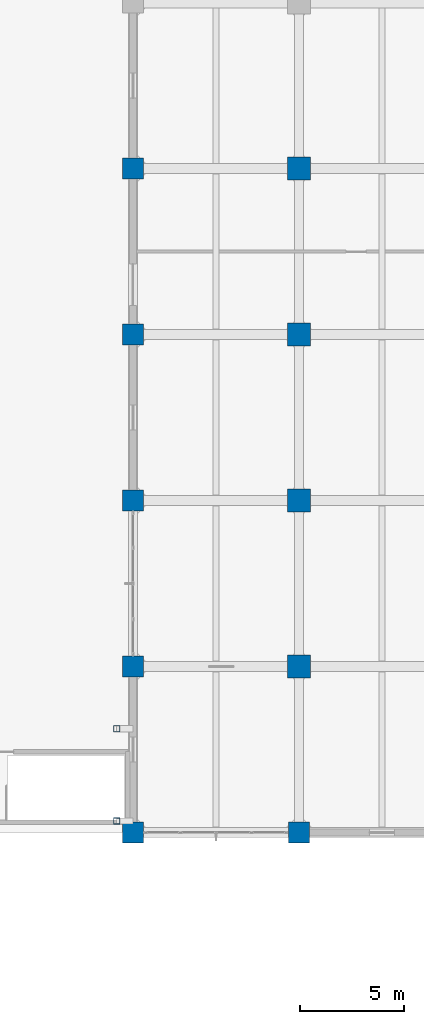
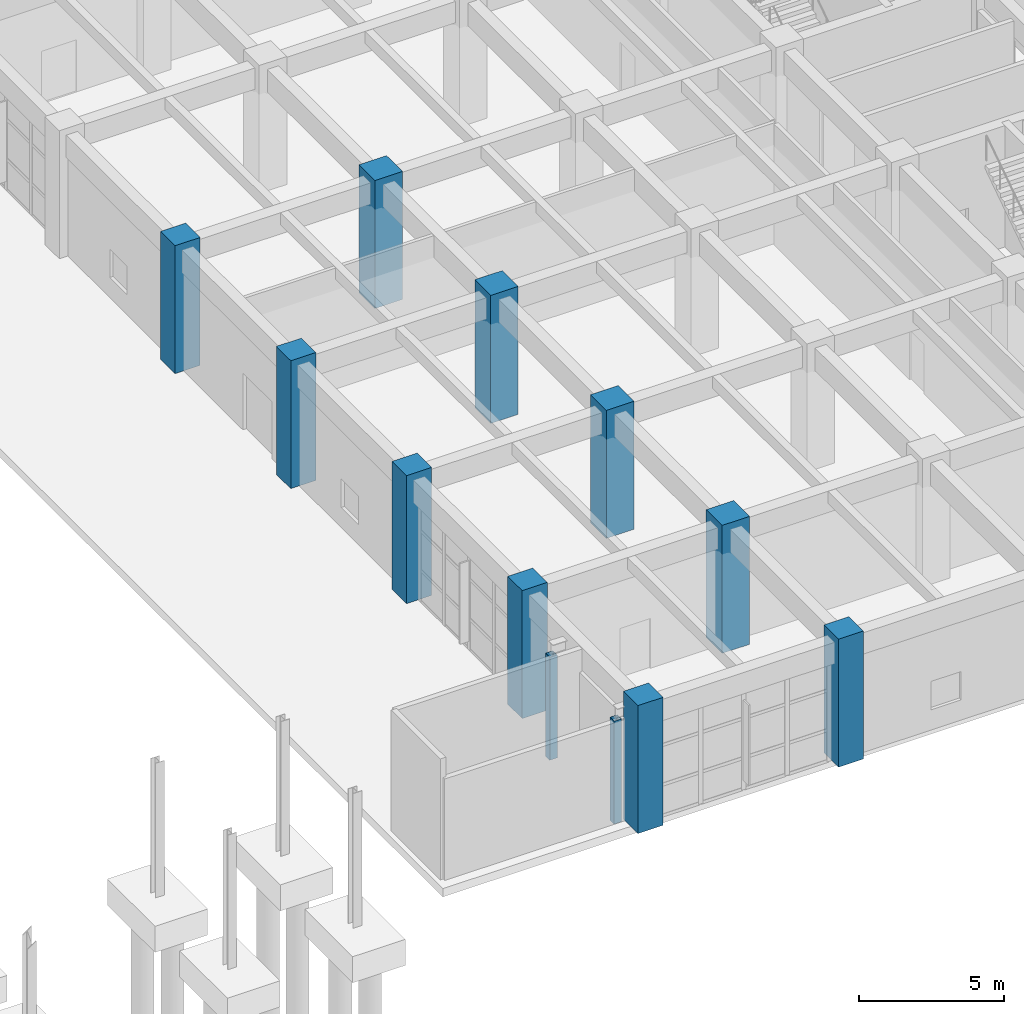
# One storey, part 10 of 90: 12 columns.
"""IFC4 building model written with IfcOpenShell, lengths in metres."""

from ifc_helpers import new_model, si_unit, direction, frame, origin, origin_2d, place, context, subcontext, project, spatial, rectangle, hollow_rectangle, extrude, material, material_profile, profile_set, type_object, element, save


model = new_model("IFC4")

# Units and contexts
model_context = context("Model", 3, precision=1e-05, world=origin(), true_north=direction((0.0, 1.0)))
body_context = subcontext(model_context, "Body", "Model", "MODEL_VIEW")
ifc_project = project(units=[si_unit("LENGTHUNIT", "METRE"), si_unit("AREAUNIT", "SQUARE_METRE"), si_unit("VOLUMEUNIT", "CUBIC_METRE"), si_unit("PLANEANGLEUNIT", "RADIAN"), si_unit("MASSUNIT", "GRAM", prefix="KILO")], contexts=[model_context])

# Site, building, storey
site_placement = place(None, origin())
site = spatial("IfcSite", under=ifc_project, at=site_placement, CompositionType="ELEMENT")
building_placement = place(site_placement, origin())
building = spatial("IfcBuilding", under=site, at=building_placement, Name="Canggui Botanical Conservatory", CompositionType="ELEMENT")
storey_placement = place(building_placement, origin())
storey = spatial("IfcBuildingStorey", under=building, at=storey_placement, Name="L01", CompositionType="ELEMENT", Elevation=0.0)

# Columns
ifc_material_1 = material(Name="Steel Q355C", Category="steel")
ifc_material_profile_1 = material_profile(ifc_material_1, hollow_rectangle(XDim=0.300048828125, YDim=0.300048828125, WallThickness=0.010009765625, at=origin_2d()), Name="SHS 300x300x10")
ifc_profile_set_1 = profile_set([ifc_material_profile_1], Name="Steel Q355C")
column_type_1 = type_object("IfcColumnType", Name="COL-GZ02", PredefinedType="COLUMN", material=ifc_profile_set_1)
for number, where, z_axis, x_axis, name in (
    (1, (129.219970703125, 26.550048828125, 0.0), (0.0, 0.0, 1.0), (1.0, 0.0, 0.0), "SB-01 Corbel Support Pier L01-1"),
    (2, (129.219970703125, 31.0, 0.0), (0.0, 0.0, 1.0), (1.0, 0.0, 0.0), "SB-01 Corbel Support Pier L01-2"),
):
    element("IfcColumn", number, at=place(storey_placement, frame(where, z_axis=z_axis, x_axis=x_axis)), inside=storey, type_object=column_type_1, Name=name, PredefinedType="COLUMN", context=body_context, shape_type="SweptSolid", body=[
        extrude(hollow_rectangle(XDim=0.300048828125, YDim=0.300048828125, WallThickness=0.010009765625, at=origin_2d()), origin(), (0.0, 0.0, 1.0), 4.340087890625),
    ])
ifc_material_2 = material(Name="Concrete C50", Category="concrete")
ifc_material_profile_2 = material_profile(ifc_material_2, rectangle(XDim=1.10009765625, YDim=1.10009765625, at=origin_2d()), Name="RC 1100x1100")
ifc_profile_set_2 = profile_set([ifc_material_profile_2], Name="Concrete C50")
column_type_2 = type_object("IfcColumnType", Name="COL-KZ01", PredefinedType="COLUMN", material=ifc_profile_set_2)
for number, where, z_axis, x_axis, name in (
    (3, (138.0, 34.0, 0.0), (0.0, 0.0, 1.0), (1.0, 0.0, 0.0), "Tower RC Column L01 (138,34)"),
    (4, (138.0, 42.0, 0.0), (0.0, 0.0, 1.0), (1.0, 0.0, 0.0), "Tower RC Column L01 (138,42)"),
    (5, (138.0, 50.0, 0.0), (0.0, 0.0, 1.0), (1.0, 0.0, 0.0), "Tower RC Column L01 (138,50)"),
    (6, (138.0, 58.0, 0.0), (0.0, 0.0, 1.0), (1.0, 0.0, 0.0), "Tower RC Column L01 (138,58)"),
):
    element("IfcColumn", number, at=place(storey_placement, frame(where, z_axis=z_axis, x_axis=x_axis)), inside=storey, type_object=column_type_2, Name=name, PredefinedType="COLUMN", context=body_context, shape_type="SweptSolid", body=[
        extrude(rectangle(XDim=1.10009765625, YDim=1.10009765625, at=origin_2d()), origin(), (0.0, 0.0, 1.0), 5.39990234375),
    ])
ifc_material_profile_3 = material_profile(ifc_material_2, rectangle(XDim=1.0, YDim=1.0, at=origin_2d()), Name="RC 1000x1000")
ifc_profile_set_3 = profile_set([ifc_material_profile_3], Name="Concrete C50")
column_type_3 = type_object("IfcColumnType", Name="COL-KZ03", PredefinedType="COLUMN", material=ifc_profile_set_3)
for number, where, z_axis, x_axis, name in (
    (7, (130.0, 26.0, 0.0), (0.0, 0.0, 1.0), (1.0, 0.0, 0.0), "Tower RC Column L01 (130,26)"),
    (8, (130.0, 34.0, 0.0), (0.0, 0.0, 1.0), (1.0, 0.0, 0.0), "Tower RC Column L01 (130,34)"),
    (9, (130.0, 42.0, 0.0), (0.0, 0.0, 1.0), (1.0, 0.0, 0.0), "Tower RC Column L01 (130,42)"),
    (10, (130.0, 50.0, 0.0), (0.0, 0.0, 1.0), (1.0, 0.0, 0.0), "Tower RC Column L01 (130,50)"),
    (11, (130.0, 58.0, 0.0), (0.0, 0.0, 1.0), (1.0, 0.0, 0.0), "Tower RC Column L01 (130,58)"),
    (12, (138.0, 26.0, 0.0), (0.0, 0.0, 1.0), (1.0, 0.0, 0.0), "Tower RC Column L01 (138,26)"),
):
    element("IfcColumn", number, at=place(storey_placement, frame(where, z_axis=z_axis, x_axis=x_axis)), inside=storey, type_object=column_type_3, Name=name, PredefinedType="COLUMN", context=body_context, shape_type="SweptSolid", body=[
        extrude(rectangle(XDim=1.0, YDim=1.0, at=origin_2d()), origin(), (0.0, 0.0, 1.0), 5.39990234375),
    ])

save(model, "model.ifc")
